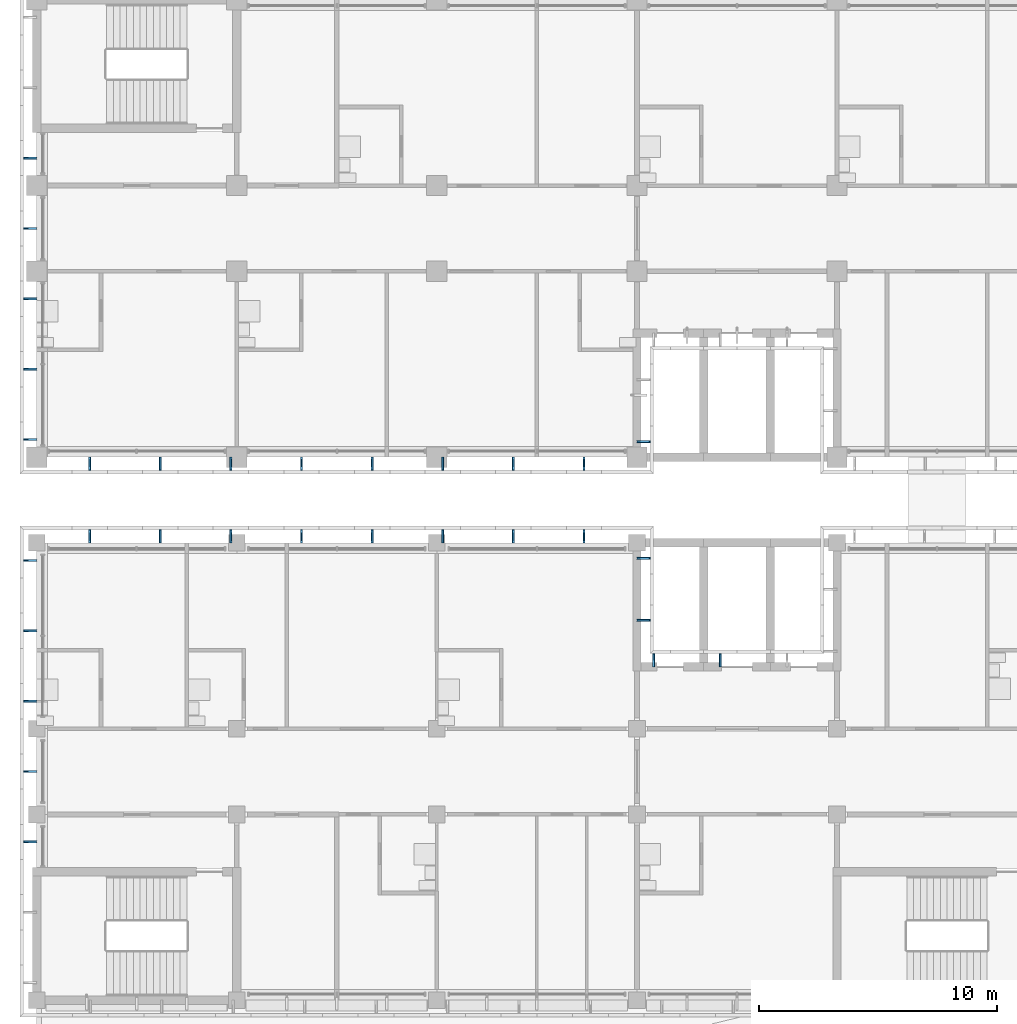
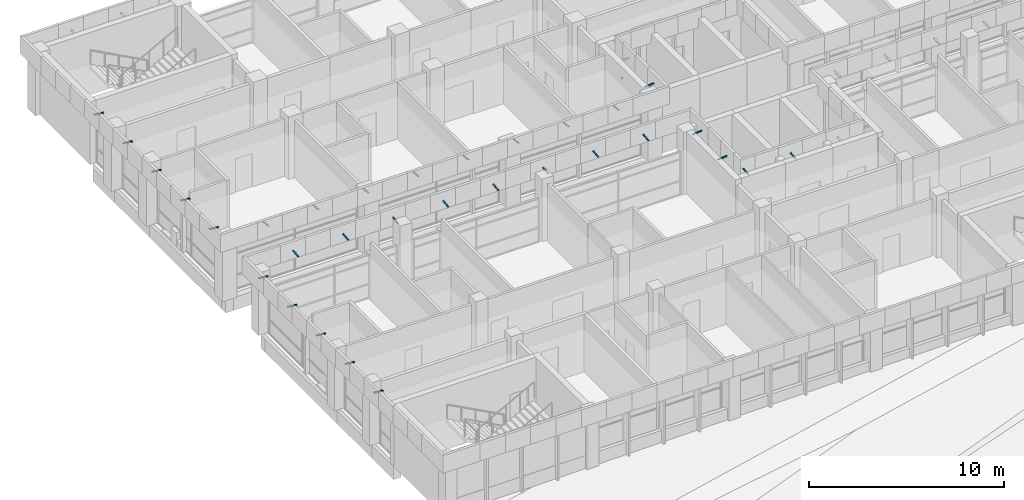
# One storey, part 51 of 74: 31 discrete accessories.
"""IFC4 building model written with IfcOpenShell, lengths in metres."""

import ifcopenshell
import ifcopenshell.guid

model = None  # the IFC model being written
_history = None  # IfcOwnerHistory: only IFC2X3 demands one
_inside = {}  # id of a spatial element -> (the spatial element, [elements in it])
_under = {}  # id of a project, library or spatial element -> (it, [spatial elements below it])
_declared = {}  # id of a project -> (the project, [libraries it declares])
_typed = {}  # id of a type object -> (the type object, [elements of that type])
_made_of = {}  # id of a material, layer set ... -> (it, [elements and type objects made of it])


def new_model(schema):
    """Start an empty IFC model of exactly this schema.

    Asked for "IFC4X3", IfcOpenShell would pick the latest addendum, in which some entities
    have other attributes; the version numbers below select the first issue.
    IFC2X3 requires an IfcOwnerHistory on every rooted entity: one is made here for all.
    """
    global model, _history
    if schema == "IFC4X3":
        model = ifcopenshell.file(schema_version=(4, 3, 0, 0))
    else:
        model = ifcopenshell.file(schema=schema)
    _inside.clear()
    _under.clear()
    _declared.clear()
    _typed.clear()
    _made_of.clear()
    _history = None
    if model.schema == "IFC2X3":
        org = make("IfcOrganization", Name="unknown")
        user = make(
            "IfcPersonAndOrganization",
            ThePerson=make("IfcPerson", FamilyName="unknown"),
            TheOrganization=org,
        )
        app = make(
            "IfcApplication",
            ApplicationDeveloper=org,
            Version="unknown",
            ApplicationFullName="unknown",
            ApplicationIdentifier="unknown",
        )
        _history = make(
            "IfcOwnerHistory",
            OwningUser=user,
            OwningApplication=app,
            ChangeAction="ADDED",
            CreationDate=0,
        )
    return model


def make(cls, **values):
    """One entity of the class cls with the attributes given. An attribute that is None is left unset."""
    return model.create_entity(
        cls, **{name: value for name, value in values.items() if value is not None}
    )


def rooted(cls, **values):
    """An entity with a GlobalId (a new one), such as an element, a storey or a relation."""
    return make(cls, GlobalId=ifcopenshell.guid.new(), OwnerHistory=_history, **values)


def si_unit(unit_type, name, prefix=None):
    """IfcSIUnit, for example si_unit("LENGTHUNIT", "METRE", prefix="MILLI")."""
    return make("IfcSIUnit", UnitType=unit_type, Prefix=prefix, Name=name)


def assignment(units):
    """IfcUnitAssignment: the units of a project."""
    return None if units is None else make("IfcUnitAssignment", Units=units)


def point(xyz):
    """IfcCartesianPoint."""
    return None if xyz is None else make("IfcCartesianPoint", Coordinates=xyz)


def direction(xyz):
    """IfcDirection."""
    return None if xyz is None else make("IfcDirection", DirectionRatios=xyz)


def frame(location, z_axis=None, x_axis=None):
    """IfcAxis2Placement3D, a coordinate frame: its origin and axes. An axis left out is left unset."""
    return make(
        "IfcAxis2Placement3D",
        Location=point(location),
        Axis=direction(z_axis),
        RefDirection=direction(x_axis),
    )


def frame_2d(location, x_axis=None):
    """IfcAxis2Placement2D, a coordinate frame in the plane: its origin and x axis."""
    return make(
        "IfcAxis2Placement2D", Location=point(location), RefDirection=direction(x_axis)
    )


def origin():
    """The frame at (0, 0, 0) with its axes left unset."""
    return frame((0.0, 0.0, 0.0))


def origin_2d():
    """The frame at (0, 0) in the plane with its x axis left unset."""
    return frame_2d((0.0, 0.0))


def place(relative_to, where):
    """IfcLocalPlacement: puts the frame where relative to a parent placement (None: the world)."""
    return make(
        "IfcLocalPlacement", PlacementRelTo=relative_to, RelativePlacement=where
    )


def context(
    kind, dimensions, precision=None, world=None, true_north=None, identifier=None
):
    """IfcGeometricRepresentationContext, for example the 3D "Model" context."""
    return make(
        "IfcGeometricRepresentationContext",
        ContextIdentifier=identifier,
        ContextType=kind,
        CoordinateSpaceDimension=dimensions,
        Precision=precision,
        WorldCoordinateSystem=world,
        TrueNorth=true_north,
    )


def subcontext(parent, identifier, kind, view, scale=None):
    """IfcGeometricRepresentationSubContext, for example "Body" below "Model"."""
    return make(
        "IfcGeometricRepresentationSubContext",
        ContextIdentifier=identifier,
        ContextType=kind,
        ParentContext=parent,
        TargetScale=scale,
        TargetView=view,
    )


def project(units=None, contexts=None):
    """IfcProject with its units and contexts."""
    return rooted(
        "IfcProject",
        Name="project",
        RepresentationContexts=contexts,
        UnitsInContext=assignment(units),
    )


def spatial(cls, under=None, at=None, **own):
    """A site, building, storey or space (cls), placed at a placement, below another one or the project."""
    s = rooted(cls, ObjectPlacement=at, **own)
    if under is not None:
        _under.setdefault(under.id(), (under, []))[1].append(s)
    return s


def profile(cls, at=None, kind="AREA", **sizes):
    """A parametric profile (cls). Its sizes go by their IFC names, for example OverallWidth=200.0."""
    return make(cls, ProfileType=kind, Position=at, **sizes)


def rectangle(**sizes):
    """IfcRectangleProfileDef."""
    return profile("IfcRectangleProfileDef", **sizes)


def extrude(swept, where, along, depth):
    """IfcExtrudedAreaSolid: the profile swept, set in the frame where, extruded along a direction by depth."""
    return make(
        "IfcExtrudedAreaSolid",
        SweptArea=swept,
        Position=where,
        ExtrudedDirection=direction(along),
        Depth=depth,
    )


def shape(context_of_items, identifier, shape_type, items):
    """IfcShapeRepresentation: the items that make up one representation, for example the "Body"."""
    return make(
        "IfcShapeRepresentation",
        ContextOfItems=context_of_items,
        RepresentationIdentifier=identifier,
        RepresentationType=shape_type,
        Items=items,
    )


def material(Name=None, Category=None):
    """IfcMaterial."""
    return make("IfcMaterial", Name=Name, Category=Category)


def material_profile(
    of_material, cross_section, Name=None, Category=None, Priority=None
):
    """IfcMaterialProfile: a cross section and its material."""
    return make(
        "IfcMaterialProfile",
        Name=Name,
        Material=of_material,
        Profile=cross_section,
        Priority=Priority,
        Category=Category,
    )


def profile_set(profiles, Name=None, composite=None):
    """IfcMaterialProfileSet."""
    return make(
        "IfcMaterialProfileSet",
        Name=Name,
        MaterialProfiles=profiles,
        CompositeProfile=composite,
    )


def made_of(thing, what):
    """Note that an element or type object is made of a material, layer set ...; save() writes the relation."""
    if what is not None:
        _made_of.setdefault(what.id(), (what, []))[1].append(thing)
    return thing


def type_object(cls, material=None, **own):
    """A type object (cls), such as IfcWallType, which elements share."""
    return made_of(rooted(cls, **own), material)


def element(
    cls,
    number,
    at=None,
    inside=None,
    cuts=None,
    type_object=None,
    material=None,
    context=None,
    identifier="Body",
    shape_type=None,
    held_by="IfcProductDefinitionShape",
    body=None,
    shapes=None,
    **own,
):
    """One element of the class cls, such as IfcWall. Its Tag is "e" and its number.

    at: its placement. inside: the storey or other place that contains it. cuts: it is an
    opening in that element (IfcRelVoidsElement). A single representation is given by context,
    identifier, shape_type and body (its items); several are given by shapes. held_by: the class
    of the entity that holds the representations. save() writes the other relations.
    """
    e = rooted(cls, Tag="e%d" % number, ObjectPlacement=at, **own)
    if body is not None:
        shapes = [shape(context, identifier, shape_type, body)]
    if shapes is not None:
        e.Representation = make(held_by, Representations=shapes)
    if inside is not None:
        _inside.setdefault(inside.id(), (inside, []))[1].append(e)
    if cuts is not None:
        rooted(
            "IfcRelVoidsElement", RelatingBuildingElement=cuts, RelatedOpeningElement=e
        )
    if type_object is not None:
        _typed.setdefault(type_object.id(), (type_object, []))[1].append(e)
    return made_of(e, material)


def aggregate(whole, parts):
    """IfcRelAggregates: a whole, such as a stair, and the parts it consists of."""
    return rooted("IfcRelAggregates", RelatingObject=whole, RelatedObjects=parts)


def save(model, path):
    """Write the relations noted so far, then the file.

    IfcRelAggregates (storeys below a building ...), IfcRelContainedInSpatialStructure (elements
    in a storey), IfcRelDefinesByType, IfcRelAssociatesMaterial and IfcRelDeclares: one each for
    every whole, place, type object, material and project.
    """
    for whole, parts in _under.values():
        aggregate(whole, parts)
    for where, things in _inside.values():
        rooted(
            "IfcRelContainedInSpatialStructure",
            RelatedElements=things,
            RelatingStructure=where,
        )
    for kind, things in _typed.values():
        rooted("IfcRelDefinesByType", RelatedObjects=things, RelatingType=kind)
    for what, things in _made_of.values():
        rooted("IfcRelAssociatesMaterial", RelatedObjects=things, RelatingMaterial=what)
    for by, libraries in _declared.values():
        rooted("IfcRelDeclares", RelatingContext=by, RelatedDefinitions=libraries)
    model.write(path)


model = new_model("IFC4")

# Units and contexts
model_context = context("Model", 3, precision=1e-05, world=origin(), true_north=direction((0.0, 1.0)))
body_context = subcontext(model_context, "Body", "Model", "MODEL_VIEW")
ifc_project = project(units=[si_unit("LENGTHUNIT", "METRE"), si_unit("AREAUNIT", "SQUARE_METRE"), si_unit("VOLUMEUNIT", "CUBIC_METRE"), si_unit("PLANEANGLEUNIT", "RADIAN"), si_unit("MASSUNIT", "GRAM", prefix="KILO")], contexts=[model_context])

# Site, building, storey
site_placement = place(None, origin())
site = spatial("IfcSite", under=ifc_project, at=site_placement, CompositionType="ELEMENT")
building_placement = place(site_placement, origin())
building = spatial("IfcBuilding", under=site, at=building_placement, Name="Bougainvillea Quay General Hospital", CompositionType="ELEMENT")
storey_placement = place(building_placement, frame((0.0, 0.0, 21.0)))
storey = spatial("IfcBuildingStorey", under=building, at=storey_placement, Name="L04", CompositionType="ELEMENT", Elevation=21.0)

# Discrete accessories
ifc_material = material(Name="Stainless steel bracket, grade 316", Category="steel")
ifc_material_profile = material_profile(ifc_material, rectangle(XDim=0.080078125, YDim=0.050048828125, at=origin_2d()))
ifc_profile_set = profile_set([ifc_material_profile], Name="Stainless steel bracket, grade 316")
discrete_accessory_type = type_object("IfcDiscreteAccessoryType", Name="Stainless steel stand-off bracket 80x50", PredefinedType="BRACKET", material=ifc_profile_set)
for number, where, z_axis, x_axis, name in (
    (1, (42.0, 152.953857421875, 3.840087890625), (-0.994139309541, 0.0, 0.108106582706), (0.0, -1.0, 0.0), "Fascia bracket e0 101"),
    (2, (42.0, 150.0, 3.840087890625), (-0.994139309541, 0.0, 0.108106582706), (0.0, -1.0, 0.0), "Fascia bracket e0 103"),
    (3, (42.0, 147.046142578125, 3.840087890625), (-0.994139309541, 0.0, 0.108106582706), (0.0, -1.0, 0.0), "Fascia bracket e0 105"),
    (4, (42.0, 144.09228515625, 3.840087890625), (-0.994139309541, 0.0, 0.108106582706), (0.0, -1.0, 0.0), "Fascia bracket e0 107"),
    (5, (42.0, 141.138427734375, 3.840087890625), (-0.994139309541, 0.0, 0.108106582706), (0.0, -1.0, 0.0), "Fascia bracket e0 109"),
):
    element("IfcDiscreteAccessory", number, at=place(storey_placement, frame(where, z_axis=z_axis, x_axis=x_axis)), inside=storey, type_object=discrete_accessory_type, Name=name, PredefinedType="BRACKET", context=body_context, shape_type="SweptSolid", body=[
        extrude(rectangle(XDim=0.080078125, YDim=0.050048828125, at=origin_2d()), origin(), (0.0, 0.0, 1.0), 0.55322265625),
    ])
for number, where, z_axis, x_axis, name in (
    (6, (44.2236328125, 140.39990234375, 3.840087890625), (0.0, -0.994134149227, 0.108154026004), (1.0, 0.0, 0.0), "Fascia bracket e0 111"),
    (7, (47.188232421875, 140.39990234375, 3.840087890625), (0.0, -0.994134149227, 0.108154026004), (1.0, 0.0, 0.0), "Fascia bracket e0 113"),
    (8, (50.15283203125, 140.39990234375, 3.840087890625), (0.0, -0.994134149227, 0.108154026004), (1.0, 0.0, 0.0), "Fascia bracket e0 115"),
    (9, (53.11767578125, 140.39990234375, 3.840087890625), (0.0, -0.994134149227, 0.108154026004), (1.0, 0.0, 0.0), "Fascia bracket e0 117"),
    (10, (56.082275390625, 140.39990234375, 3.840087890625), (0.0, -0.994134149227, 0.108154026004), (1.0, 0.0, 0.0), "Fascia bracket e0 119"),
    (11, (59.047119140625, 140.39990234375, 3.840087890625), (0.0, -0.994134149227, 0.108154026004), (1.0, 0.0, 0.0), "Fascia bracket e0 121"),
    (12, (62.01171875, 140.39990234375, 3.840087890625), (0.0, -0.994134149227, 0.108154026004), (1.0, 0.0, 0.0), "Fascia bracket e0 123"),
    (13, (64.9765625, 140.39990234375, 3.840087890625), (0.0, -0.994134149227, 0.108154026004), (1.0, 0.0, 0.0), "Fascia bracket e0 125"),
):
    element("IfcDiscreteAccessory", number, at=place(storey_placement, frame(where, z_axis=z_axis, x_axis=x_axis)), inside=storey, type_object=discrete_accessory_type, Name=name, PredefinedType="BRACKET", context=body_context, shape_type="SweptSolid", body=[
        extrude(rectangle(XDim=0.080078125, YDim=0.050048828125, at=origin_2d()), origin(), (0.0, 0.0, 1.0), 0.552978515625),
    ])
for number, where, z_axis, x_axis, name in (
    (14, (67.199951171875, 141.050048828125, 3.840087890625), (0.994139309541, 0.0, 0.108106582706), (0.0, 1.0, 0.0), "Fascia bracket e0 127"),
    (15, (42.0, 136.0615234375, 3.840087890625), (-0.994139309541, 0.0, 0.108106582706), (0.0, -1.0, 0.0), "Fascia bracket e0 1"),
    (16, (42.0, 133.107666015625, 3.840087890625), (-0.994139309541, 0.0, 0.108106582706), (0.0, -1.0, 0.0), "Fascia bracket e0 3"),
    (17, (42.0, 130.15380859375, 3.840087890625), (-0.994139309541, 0.0, 0.108106582706), (0.0, -1.0, 0.0), "Fascia bracket e0 5"),
    (18, (42.0, 127.199951171875, 3.840087890625), (-0.994139309541, 0.0, 0.108106582706), (0.0, -1.0, 0.0), "Fascia bracket e0 7"),
    (19, (42.0, 124.24609375, 3.840087890625), (-0.994139309541, 0.0, 0.108106582706), (0.0, -1.0, 0.0), "Fascia bracket e0 9"),
):
    element("IfcDiscreteAccessory", number, at=place(storey_placement, frame(where, z_axis=z_axis, x_axis=x_axis)), inside=storey, type_object=discrete_accessory_type, Name=name, PredefinedType="BRACKET", context=body_context, shape_type="SweptSolid", body=[
        extrude(rectangle(XDim=0.080078125, YDim=0.050048828125, at=origin_2d()), origin(), (0.0, 0.0, 1.0), 0.55322265625),
    ])
for number, where, z_axis, x_axis, name in (
    (20, (70.699951171875, 131.60009765625, 3.840087890625), (0.0, 0.994134149227, 0.108154026004), (-1.0, 0.0, 0.0), "Fascia bracket e0 189"),
    (21, (67.89990234375, 131.60009765625, 3.840087890625), (0.0, 0.994134149227, 0.108154026004), (-1.0, 0.0, 0.0), "Fascia bracket e0 191"),
):
    element("IfcDiscreteAccessory", number, at=place(storey_placement, frame(where, z_axis=z_axis, x_axis=x_axis)), inside=storey, type_object=discrete_accessory_type, Name=name, PredefinedType="BRACKET", context=body_context, shape_type="SweptSolid", body=[
        extrude(rectangle(XDim=0.080078125, YDim=0.050048828125, at=origin_2d()), origin(), (0.0, 0.0, 1.0), 0.552978515625),
    ])
for number, where, z_axis, x_axis, name in (
    (22, (67.199951171875, 133.550048828125, 3.840087890625), (0.994139309541, 0.0, 0.108106582706), (0.0, 1.0, 0.0), "Fascia bracket e0 193"),
    (23, (67.199951171875, 136.14990234375, 3.840087890625), (0.994139309541, 0.0, 0.108106582706), (0.0, 1.0, 0.0), "Fascia bracket e0 195"),
    (24, (64.9765625, 136.800048828125, 3.840087890625), (0.0, 0.994139309541, 0.108106582706), (-1.0, 0.0, 0.0), "Fascia bracket e0 197"),
    (25, (62.01171875, 136.800048828125, 3.840087890625), (0.0, 0.994139309541, 0.108106582706), (-1.0, 0.0, 0.0), "Fascia bracket e0 199"),
    (26, (59.047119140625, 136.800048828125, 3.840087890625), (0.0, 0.994139309541, 0.108106582706), (-1.0, 0.0, 0.0), "Fascia bracket e0 201"),
    (27, (56.082275390625, 136.800048828125, 3.840087890625), (0.0, 0.994139309541, 0.108106582706), (-1.0, 0.0, 0.0), "Fascia bracket e0 203"),
    (28, (53.11767578125, 136.800048828125, 3.840087890625), (0.0, 0.994139309541, 0.108106582706), (-1.0, 0.0, 0.0), "Fascia bracket e0 205"),
    (29, (50.15283203125, 136.800048828125, 3.840087890625), (0.0, 0.994139309541, 0.108106582706), (-1.0, 0.0, 0.0), "Fascia bracket e0 207"),
    (30, (47.188232421875, 136.800048828125, 3.840087890625), (0.0, 0.994139309541, 0.108106582706), (-1.0, 0.0, 0.0), "Fascia bracket e0 209"),
    (31, (44.2236328125, 136.800048828125, 3.840087890625), (0.0, 0.994139309541, 0.108106582706), (-1.0, 0.0, 0.0), "Fascia bracket e0 211"),
):
    element("IfcDiscreteAccessory", number, at=place(storey_placement, frame(where, z_axis=z_axis, x_axis=x_axis)), inside=storey, type_object=discrete_accessory_type, Name=name, PredefinedType="BRACKET", context=body_context, shape_type="SweptSolid", body=[
        extrude(rectangle(XDim=0.080078125, YDim=0.050048828125, at=origin_2d()), origin(), (0.0, 0.0, 1.0), 0.55322265625),
    ])

save(model, "model.ifc")
